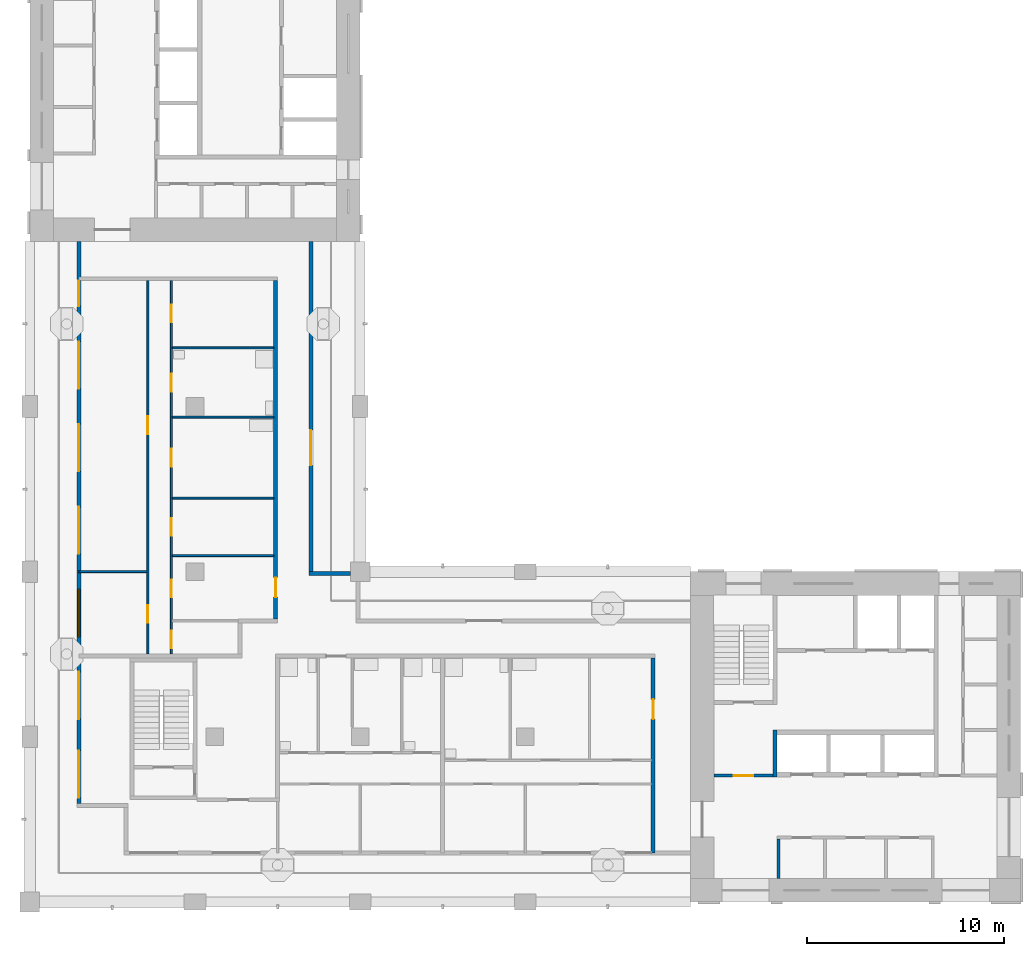
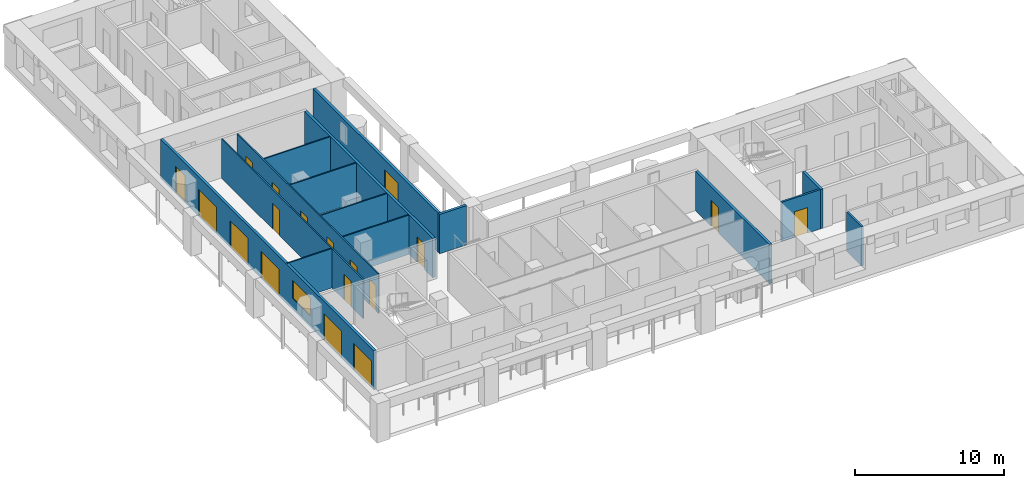
# One storey, part 3 of 12: 18 doors, 15 walls, 1 window, 19 openings.
"""IFC4 building model written with IfcOpenShell, lengths in metres."""

from ifc_helpers import new_model, si_unit, direction, frame, frame_2d, origin, place, context, subcontext, project, spatial, rectangle, extrude, material, layer, layer_set, type_object, element, fill, save


model = new_model("IFC4")

# Units and contexts
model_context = context("Model", 3, precision=1e-05, world=origin(), true_north=direction((0.0, 1.0)))
body_context = subcontext(model_context, "Body", "Model", "MODEL_VIEW")
ifc_project = project(units=[si_unit("LENGTHUNIT", "METRE"), si_unit("AREAUNIT", "SQUARE_METRE"), si_unit("VOLUMEUNIT", "CUBIC_METRE"), si_unit("PLANEANGLEUNIT", "RADIAN"), si_unit("MASSUNIT", "GRAM", prefix="KILO")], contexts=[model_context])

# Site, building, storey
site_placement = place(None, origin())
site = spatial("IfcSite", under=ifc_project, at=site_placement, CompositionType="ELEMENT")
building_placement = place(site_placement, origin())
building = spatial("IfcBuilding", under=site, at=building_placement, Name="Vermilion Gate Residences", CompositionType="ELEMENT")
storey_placement = place(building_placement, frame((0.0, 0.0, 238.699951171875)))
storey = spatial("IfcBuildingStorey", under=building, at=storey_placement, Name="L62", CompositionType="ELEMENT", Elevation=238.699951171875)

# Wall
ifc_material_1 = material(Name="Masonry blockwork", Category="masonry")
ifc_layer_1 = layer(ifc_material_1, 0.14990234375)
ifc_layer_set_1 = layer_set([ifc_layer_1], Name="BLOCKWORK PARTITION 150 EI 120")
wall_type_1 = type_object("IfcWallType", Name="BLOCKWORK PARTITION 150 EI 120", PredefinedType="PARTITIONING", material=ifc_layer_set_1)
wall_1_placement = place(storey_placement, frame((46.47509765625, 9.60009765625, 0.0), z_axis=(0.0, 0.0, 1.0), x_axis=(0.0, 1.0, 0.0)))
element("IfcWall", 1, at=wall_1_placement, inside=storey, type_object=wall_type_1, Name="Core room partition A62-RW-W", PredefinedType="PARTITIONING", context=body_context, shape_type="SweptSolid", body=[
    extrude(rectangle(XDim=2.0, YDim=0.14990234375, at=frame_2d((1.0, 0.0))), origin(), (0.0, 0.0, 1.0), 3.219970703125),
])

# Wall, opening, door
wall_2_placement = place(storey_placement, frame((43.199951171875, 14.824951171875, 0.0), z_axis=(0.0, 0.0, 1.0), x_axis=(1.0, 0.0, 0.0)))
wall_2 = element("IfcWall", 2, at=wall_2_placement, inside=storey, type_object=wall_type_1, Name="Core room partition A62-VW-S", PredefinedType="PARTITIONING", context=body_context, shape_type="SweptSolid", body=[
    extrude(rectangle(XDim=3.0, YDim=0.14990234375, at=frame_2d((1.5, 0.0))), origin(), (0.0, 0.0, 1.0), 3.219970703125),
])
opening_1_placement = place(wall_2_placement, frame((1.0, 0.0, 0.0)))
opening_1 = element("IfcOpeningElement", 3, at=opening_1_placement, cuts=wall_2, Name="Opening DK62011", PredefinedType="OPENING", context=body_context, shape_type="SweptSolid", body=[
    extrude(rectangle(XDim=1.0, YDim=2.10009765625, at=frame_2d((0.5, 1.050048828125))), frame((0.0, 0.0849609375, 0.0), z_axis=(0.0, -1.0, 0.0), x_axis=(1.0, 0.0, 0.0)), (0.0, 0.0, 1.0), 0.169921875),
])
ifc_material_2 = material(Name="Steel", Category="steel")
door_type_1 = type_object("IfcDoorType", Name="FIRE DOOR FD60 1000 X 2100", OperationType="SINGLE_SWING_LEFT", PredefinedType="DOOR", material=ifc_material_2)
door_1_placement = place(opening_1_placement, frame((1.0, 0.0, 0.0), z_axis=(0.0, 0.0, 1.0), x_axis=(-1.0, 0.0, 0.0)))
door_1 = element("IfcDoor", 4, at=door_1_placement, inside=storey, type_object=door_type_1, Name="Stair vestibule door A62", OperationType="SINGLE_SWING_RIGHT", OverallHeight=2.10009765625, OverallWidth=1.0, PredefinedType="DOOR", context=body_context, shape_type="SweptSolid", body=[
    extrude(rectangle(XDim=1.0, YDim=2.10009765625, at=frame_2d((0.5, 1.050048828125))), frame((0.0, 0.02490234375, 0.0), z_axis=(0.0, -1.0, 0.0), x_axis=(1.0, 0.0, 0.0)), (0.0, 0.0, 1.0), 0.050048828125),
])
fill(opening_1, door_1)

# Wall, openings, doors, window
ifc_material_3 = material(Name="Insulated steel stud wall with terracotta rainscreen", Category="masonry")
ifc_layer_2 = layer(ifc_material_3, 0.199951171875)
ifc_layer_set_2 = layer_set([ifc_layer_2], Name="EXTERNAL WALL 200 TERRACOTTA RAINSCREEN")
wall_type_2 = type_object("IfcWallType", Name="EXTERNAL WALL 200 TERRACOTTA RAINSCREEN", PredefinedType="SOLIDWALL", material=ifc_layer_set_2)
wall_3_placement = place(storey_placement, frame((10.89990234375, 42.0, 0.0), z_axis=(0.0, 0.0, 1.0), x_axis=(0.0, -1.0, 0.0)))
wall_3 = element("IfcWall", 5, at=wall_3_placement, inside=storey, type_object=wall_type_2, Name="External wall", PredefinedType="SOLIDWALL", context=body_context, shape_type="SweptSolid", body=[
    extrude(rectangle(XDim=28.60009765625, YDim=0.199951171875, at=frame_2d((14.300048828125, 0.0))), origin(), (0.0, 0.0, 1.0), 3.219970703125),
])
opening_2_placement = place(wall_3_placement, frame((25.89990234375, 0.0, 0.0)))
opening_2 = element("IfcOpeningElement", 6, at=opening_2_placement, cuts=wall_3, Name="Opening DE62001", PredefinedType="OPENING", context=body_context, shape_type="SweptSolid", body=[
    extrude(rectangle(XDim=2.39990234375, YDim=2.199951171875, at=frame_2d((1.199951171875, 1.10009765625))), frame((0.0, 0.10986328125, 0.0), z_axis=(0.0, -1.0, 0.0), x_axis=(1.0, 0.0, 0.0)), (0.0, 0.0, 1.0), 0.219970703125),
])
opening_3_placement = place(wall_3_placement, frame((21.89990234375, 0.0, 0.0)))
opening_3 = element("IfcOpeningElement", 7, at=opening_3_placement, cuts=wall_3, Name="Opening DE62002", PredefinedType="OPENING", context=body_context, shape_type="SweptSolid", body=[
    extrude(rectangle(XDim=2.39990234375, YDim=2.199951171875, at=frame_2d((1.199951171875, 1.10009765625))), frame((0.0, 0.10986328125, 0.0), z_axis=(0.0, -1.0, 0.0), x_axis=(1.0, 0.0, 0.0)), (0.0, 0.0, 1.0), 0.219970703125),
])
opening_4_placement = place(wall_3_placement, frame((17.699951171875, 0.0, 0.89990234375)))
opening_4 = element("IfcOpeningElement", 8, at=opening_4_placement, cuts=wall_3, Name="Opening WE62003", PredefinedType="OPENING", context=body_context, shape_type="SweptSolid", body=[
    extrude(rectangle(XDim=2.39990234375, YDim=1.5, at=frame_2d((1.199951171875, 0.75))), frame((0.0, 0.10986328125, 0.0), z_axis=(0.0, -1.0, 0.0), x_axis=(1.0, 0.0, 0.0)), (0.0, 0.0, 1.0), 0.219970703125),
])
opening_5_placement = place(wall_3_placement, frame((13.5, 0.0, 0.0)))
opening_5 = element("IfcOpeningElement", 9, at=opening_5_placement, cuts=wall_3, Name="Opening DE62004", PredefinedType="OPENING", context=body_context, shape_type="SweptSolid", body=[
    extrude(rectangle(XDim=2.39990234375, YDim=2.199951171875, at=frame_2d((1.199951171875, 1.10009765625))), frame((0.0, 0.10986328125, 0.0), z_axis=(0.0, -1.0, 0.0), x_axis=(1.0, 0.0, 0.0)), (0.0, 0.0, 1.0), 0.219970703125),
])
opening_6_placement = place(wall_3_placement, frame((9.300048828125, 0.0, 0.0)))
opening_6 = element("IfcOpeningElement", 10, at=opening_6_placement, cuts=wall_3, Name="Opening DE62005", PredefinedType="OPENING", context=body_context, shape_type="SweptSolid", body=[
    extrude(rectangle(XDim=2.39990234375, YDim=2.199951171875, at=frame_2d((1.199951171875, 1.10009765625))), frame((0.0, 0.10986328125, 0.0), z_axis=(0.0, -1.0, 0.0), x_axis=(1.0, 0.0, 0.0)), (0.0, 0.0, 1.0), 0.219970703125),
])
opening_7_placement = place(wall_3_placement, frame((5.10009765625, 0.0, 0.0)))
opening_7 = element("IfcOpeningElement", 11, at=opening_7_placement, cuts=wall_3, Name="Opening DE62006", PredefinedType="OPENING", context=body_context, shape_type="SweptSolid", body=[
    extrude(rectangle(XDim=2.39990234375, YDim=2.199951171875, at=frame_2d((1.199951171875, 1.10009765625))), frame((0.0, 0.10986328125, 0.0), z_axis=(0.0, -1.0, 0.0), x_axis=(1.0, 0.0, 0.0)), (0.0, 0.0, 1.0), 0.219970703125),
])
opening_8_placement = place(wall_3_placement, frame((2.0, 0.0, 0.0)))
opening_8 = element("IfcOpeningElement", 12, at=opening_8_placement, cuts=wall_3, Name="Opening DE62007", PredefinedType="OPENING", context=body_context, shape_type="SweptSolid", body=[
    extrude(rectangle(XDim=1.300048828125, YDim=2.199951171875, at=frame_2d((0.64990234375, 1.10009765625))), frame((0.0, 0.10986328125, 0.0), z_axis=(0.0, -1.0, 0.0), x_axis=(1.0, 0.0, 0.0)), (0.0, 0.0, 1.0), 0.219970703125),
])
ifc_material_4 = material(Name="Aluminium and clear glass", Category="aluminium")
door_type_2 = type_object("IfcDoorType", Name="SLIDING GLAZED DOOR 1300 X 2200", OperationType="DOUBLE_DOOR_SLIDING", PredefinedType="DOOR", material=ifc_material_4)
door_2_placement = place(opening_8_placement, origin())
door_2 = element("IfcDoor", 13, at=door_2_placement, inside=storey, type_object=door_type_2, Name="Loggia sliding door", OperationType="DOUBLE_DOOR_SLIDING", OverallHeight=2.199951171875, OverallWidth=1.300048828125, PredefinedType="DOOR", context=body_context, shape_type="SweptSolid", body=[
    extrude(rectangle(XDim=1.300048828125, YDim=2.199951171875, at=frame_2d((0.64990234375, 1.10009765625))), frame((0.0, 0.02490234375, 0.0), z_axis=(0.0, -1.0, 0.0), x_axis=(1.0, 0.0, 0.0)), (0.0, 0.0, 1.0), 0.050048828125),
])
fill(opening_8, door_2)
ifc_material_5 = material(Name="Aluminium and clear glass", Category="aluminium")
door_type_3 = type_object("IfcDoorType", Name="SLIDING GLAZED DOOR 2400 X 2200", OperationType="DOUBLE_DOOR_SLIDING", PredefinedType="DOOR", material=ifc_material_5)
door_3_placement = place(opening_2_placement, origin())
door_3 = element("IfcDoor", 14, at=door_3_placement, inside=storey, type_object=door_type_3, Name="Loggia sliding door", OperationType="DOUBLE_DOOR_SLIDING", OverallHeight=2.199951171875, OverallWidth=2.39990234375, PredefinedType="DOOR", context=body_context, shape_type="SweptSolid", body=[
    extrude(rectangle(XDim=2.39990234375, YDim=2.199951171875, at=frame_2d((1.199951171875, 1.10009765625))), frame((0.0, 0.02490234375, 0.0), z_axis=(0.0, -1.0, 0.0), x_axis=(1.0, 0.0, 0.0)), (0.0, 0.0, 1.0), 0.050048828125),
])
fill(opening_2, door_3)
door_4_placement = place(opening_3_placement, origin())
door_4 = element("IfcDoor", 15, at=door_4_placement, inside=storey, type_object=door_type_3, Name="Loggia sliding door", OperationType="DOUBLE_DOOR_SLIDING", OverallHeight=2.199951171875, OverallWidth=2.39990234375, PredefinedType="DOOR", context=body_context, shape_type="SweptSolid", body=[
    extrude(rectangle(XDim=2.39990234375, YDim=2.199951171875, at=frame_2d((1.199951171875, 1.10009765625))), frame((0.0, 0.02490234375, 0.0), z_axis=(0.0, -1.0, 0.0), x_axis=(1.0, 0.0, 0.0)), (0.0, 0.0, 1.0), 0.050048828125),
])
fill(opening_3, door_4)
door_5_placement = place(opening_5_placement, origin())
door_5 = element("IfcDoor", 16, at=door_5_placement, inside=storey, type_object=door_type_3, Name="Loggia sliding door", OperationType="DOUBLE_DOOR_SLIDING", OverallHeight=2.199951171875, OverallWidth=2.39990234375, PredefinedType="DOOR", context=body_context, shape_type="SweptSolid", body=[
    extrude(rectangle(XDim=2.39990234375, YDim=2.199951171875, at=frame_2d((1.199951171875, 1.10009765625))), frame((0.0, 0.02490234375, 0.0), z_axis=(0.0, -1.0, 0.0), x_axis=(1.0, 0.0, 0.0)), (0.0, 0.0, 1.0), 0.050048828125),
])
fill(opening_5, door_5)
door_6_placement = place(opening_6_placement, origin())
door_6 = element("IfcDoor", 17, at=door_6_placement, inside=storey, type_object=door_type_3, Name="Loggia sliding door", OperationType="DOUBLE_DOOR_SLIDING", OverallHeight=2.199951171875, OverallWidth=2.39990234375, PredefinedType="DOOR", context=body_context, shape_type="SweptSolid", body=[
    extrude(rectangle(XDim=2.39990234375, YDim=2.199951171875, at=frame_2d((1.199951171875, 1.10009765625))), frame((0.0, 0.02490234375, 0.0), z_axis=(0.0, -1.0, 0.0), x_axis=(1.0, 0.0, 0.0)), (0.0, 0.0, 1.0), 0.050048828125),
])
fill(opening_6, door_6)
door_7_placement = place(opening_7_placement, origin())
door_7 = element("IfcDoor", 18, at=door_7_placement, inside=storey, type_object=door_type_3, Name="Loggia sliding door", OperationType="DOUBLE_DOOR_SLIDING", OverallHeight=2.199951171875, OverallWidth=2.39990234375, PredefinedType="DOOR", context=body_context, shape_type="SweptSolid", body=[
    extrude(rectangle(XDim=2.39990234375, YDim=2.199951171875, at=frame_2d((1.199951171875, 1.10009765625))), frame((0.0, 0.02490234375, 0.0), z_axis=(0.0, -1.0, 0.0), x_axis=(1.0, 0.0, 0.0)), (0.0, 0.0, 1.0), 0.050048828125),
])
fill(opening_7, door_7)
ifc_material_6 = material(Name="Aluminium and clear glass", Category="aluminium")
window_type = type_object("IfcWindowType", Name="WINDOW 2400 X 1500", PartitioningType="SINGLE_PANEL", PredefinedType="WINDOW", material=ifc_material_6)
window_placement = place(opening_4_placement, origin())
window = element("IfcWindow", 19, at=window_placement, inside=storey, type_object=window_type, Name="Window", OverallHeight=1.5, OverallWidth=2.39990234375, PartitioningType="SINGLE_PANEL", PredefinedType="WINDOW", context=body_context, shape_type="SweptSolid", body=[
    extrude(rectangle(XDim=2.39990234375, YDim=1.5, at=frame_2d((1.199951171875, 0.75))), frame((0.0, 0.030029296875, 0.0), z_axis=(0.0, -1.0, 0.0), x_axis=(1.0, 0.0, 0.0)), (0.0, 0.0, 1.0), 0.06005859375),
])
fill(opening_4, window)

# Wall
wall_4_placement = place(storey_placement, frame((24.699951171875, 25.10009765625, 0.0), z_axis=(0.0, 0.0, 1.0), x_axis=(-1.0, 0.0, 0.0)))
element("IfcWall", 20, at=wall_4_placement, inside=storey, type_object=wall_type_2, Name="External wall", PredefinedType="SOLIDWALL", context=body_context, shape_type="SweptSolid", body=[
    extrude(rectangle(XDim=2.099853515625, YDim=0.199951171875, at=frame_2d((1.0498046875, 0.0))), origin(), (0.0, 0.0, 1.0), 3.219970703125),
])

# Wall, opening, door
wall_5_placement = place(storey_placement, frame((22.699951171875, 25.199951171875, 0.0), z_axis=(0.0, 0.0, 1.0), x_axis=(0.0, 1.0, 0.0)))
wall_5 = element("IfcWall", 21, at=wall_5_placement, inside=storey, type_object=wall_type_2, Name="External wall", PredefinedType="SOLIDWALL", context=body_context, shape_type="SweptSolid", body=[
    extrude(rectangle(XDim=16.800048828125, YDim=0.199951171875, at=frame_2d((8.39990234375, 0.0))), origin(), (0.0, 0.0, 1.0), 3.219970703125),
])
opening_9_placement = place(wall_5_placement, frame((5.39990234375, 0.0, 0.0)))
opening_9 = element("IfcOpeningElement", 22, at=opening_9_placement, cuts=wall_5, Name="Opening DE62016", PredefinedType="OPENING", context=body_context, shape_type="SweptSolid", body=[
    extrude(rectangle(XDim=1.800048828125, YDim=2.39990234375, at=frame_2d((0.89990234375, 1.199951171875))), frame((0.0, 0.10986328125, 0.0), z_axis=(0.0, -1.0, 0.0), x_axis=(1.0, 0.0, 0.0)), (0.0, 0.0, 1.0), 0.219970703125),
])
ifc_material_7 = material(Name="Aluminium and clear glass", Category="aluminium")
door_type_4 = type_object("IfcDoorType", Name="GLAZED EXTERNAL DOOR 1800 X 2400", OperationType="DOUBLE_DOOR_SINGLE_SWING", PredefinedType="DOOR", material=ifc_material_7)
door_8_placement = place(opening_9_placement, frame((1.800048828125, 0.0, 0.0), z_axis=(0.0, 0.0, 1.0), x_axis=(-1.0, 0.0, 0.0)))
door_8 = element("IfcDoor", 23, at=door_8_placement, inside=storey, type_object=door_type_4, Name="Gallery door", OperationType="DOUBLE_DOOR_SINGLE_SWING", OverallHeight=2.39990234375, OverallWidth=1.800048828125, PredefinedType="DOOR", context=body_context, shape_type="SweptSolid", body=[
    extrude(rectangle(XDim=1.800048828125, YDim=2.39990234375, at=frame_2d((0.89990234375, 1.199951171875))), frame((0.0, 0.02490234375, 0.0), z_axis=(0.0, -1.0, 0.0), x_axis=(1.0, 0.0, 0.0)), (0.0, 0.0, 1.0), 0.050048828125),
])
fill(opening_9, door_8)

# Walls
ifc_material_8 = material(Name="Plasterboard on steel studs", Category="steel")
ifc_layer_3 = layer(ifc_material_8, 0.10009765625)
ifc_layer_set_3 = layer_set([ifc_layer_3], Name="PARTITION 100")
wall_type_3 = type_object("IfcWallType", Name="PARTITION 100", PredefinedType="PARTITIONING", material=ifc_layer_set_3)
wall_6_placement = place(storey_placement, frame((10.89990234375, 25.199951171875, 0.0), z_axis=(0.0, 0.0, 1.0), x_axis=(1.0, 0.0, 0.0)))
element("IfcWall", 24, at=wall_6_placement, inside=storey, type_object=wall_type_3, Name="Partition", PredefinedType="PARTITIONING", context=body_context, shape_type="SweptSolid", body=[
    extrude(rectangle(XDim=3.4501953125, YDim=0.10009765625, at=frame_2d((1.72509765625, 0.0))), origin(), (0.0, 0.0, 1.0), 3.219970703125),
])
for number, where, z_axis, x_axis, name in (
    (25, (15.64990234375, 26.02001953125, 0.0), (0.0, 0.0, 1.0), (1.0, 0.0, 0.0), "Partition"),
    (26, (15.64990234375, 28.93994140625, 0.0), (0.0, 0.0, 1.0), (1.0, 0.0, 0.0), "Partition"),
    (27, (15.64990234375, 33.06005859375, 0.0), (0.0, 0.0, 1.0), (1.0, 0.0, 0.0), "Partition"),
    (28, (15.64990234375, 36.580078125, 0.0), (0.0, 0.0, 1.0), (1.0, 0.0, 0.0), "Partition"),
):
    element("IfcWall", number, at=place(storey_placement, frame(where, z_axis=z_axis, x_axis=x_axis)), inside=storey, type_object=wall_type_3, Name=name, PredefinedType="PARTITIONING", context=body_context, shape_type="SweptSolid", body=[
        extrude(rectangle(XDim=5.150146484375, YDim=0.10009765625, at=frame_2d((2.5751953125, 0.0))), origin(), (0.0, 0.0, 1.0), 3.219970703125),
    ])

# Wall, openings, doors
wall_7_placement = place(storey_placement, frame((14.39990234375, 21.0, 0.0), z_axis=(0.0, 0.0, 1.0), x_axis=(0.0, 1.0, 0.0)))
wall_7 = element("IfcWall", 29, at=wall_7_placement, inside=storey, type_object=wall_type_3, Name="Partition", PredefinedType="PARTITIONING", context=body_context, shape_type="SweptSolid", body=[
    extrude(rectangle(XDim=19.0, YDim=0.10009765625, at=frame_2d((9.5, 0.0))), origin(), (0.0, 0.0, 1.0), 3.219970703125),
])
opening_10_placement = place(wall_7_placement, frame((1.60009765625, 0.0, 0.0)))
opening_10 = element("IfcOpeningElement", 30, at=opening_10_placement, cuts=wall_7, Name="Opening DA61014", PredefinedType="OPENING", context=body_context, shape_type="SweptSolid", body=[
    extrude(rectangle(XDim=0.89990234375, YDim=2.10009765625, at=frame_2d((0.449951171875, 1.050048828125))), frame((0.0, 0.06005859375, 0.0), z_axis=(0.0, -1.0, 0.0), x_axis=(1.0, 0.0, 0.0)), (0.0, 0.0, 1.0), 0.1201171875),
])
opening_11_placement = place(wall_7_placement, frame((11.199951171875, 0.0, 0.0)))
opening_11 = element("IfcOpeningElement", 31, at=opening_11_placement, cuts=wall_7, Name="Opening DA61015", PredefinedType="OPENING", context=body_context, shape_type="SweptSolid", body=[
    extrude(rectangle(XDim=0.89990234375, YDim=2.10009765625, at=frame_2d((0.449951171875, 1.050048828125))), frame((0.0, 0.06005859375, 0.0), z_axis=(0.0, -1.0, 0.0), x_axis=(1.0, 0.0, 0.0)), (0.0, 0.0, 1.0), 0.1201171875),
])
ifc_material_9 = material(Name="Timber", Category="wood")
door_type_5 = type_object("IfcDoorType", Name="INTERIOR DOOR 900 X 2100", OperationType="SINGLE_SWING_LEFT", PredefinedType="DOOR", material=ifc_material_9)
door_9_placement = place(opening_10_placement, origin())
door_9 = element("IfcDoor", 32, at=door_9_placement, inside=storey, type_object=door_type_5, Name="Interior door", OperationType="SINGLE_SWING_LEFT", OverallHeight=2.10009765625, OverallWidth=0.89990234375, PredefinedType="DOOR", context=body_context, shape_type="SweptSolid", body=[
    extrude(rectangle(XDim=0.89990234375, YDim=2.10009765625, at=frame_2d((0.449951171875, 1.050048828125))), frame((0.0, 0.02490234375, 0.0), z_axis=(0.0, -1.0, 0.0), x_axis=(1.0, 0.0, 0.0)), (0.0, 0.0, 1.0), 0.050048828125),
])
fill(opening_10, door_9)
door_10_placement = place(opening_11_placement, origin())
door_10 = element("IfcDoor", 33, at=door_10_placement, inside=storey, type_object=door_type_5, Name="Interior door", OperationType="SINGLE_SWING_LEFT", OverallHeight=2.10009765625, OverallWidth=0.89990234375, PredefinedType="DOOR", context=body_context, shape_type="SweptSolid", body=[
    extrude(rectangle(XDim=0.89990234375, YDim=2.10009765625, at=frame_2d((0.449951171875, 1.050048828125))), frame((0.0, 0.02490234375, 0.0), z_axis=(0.0, -1.0, 0.0), x_axis=(1.0, 0.0, 0.0)), (0.0, 0.0, 1.0), 0.050048828125),
])
fill(opening_11, door_10)

wall_8_placement = place(storey_placement, frame((15.60009765625, 21.0, 0.0), z_axis=(0.0, 0.0, 1.0), x_axis=(0.0, 1.0, 0.0)))
wall_8 = element("IfcWall", 34, at=wall_8_placement, inside=storey, type_object=wall_type_3, Name="Partition", PredefinedType="PARTITIONING", context=body_context, shape_type="SweptSolid", body=[
    extrude(rectangle(XDim=19.0, YDim=0.10009765625, at=frame_2d((9.5, 0.0))), origin(), (0.0, 0.0, 1.0), 3.219970703125),
])
opening_12_placement = place(wall_8_placement, frame((2.89990234375, 0.0, 0.0)))
opening_12 = element("IfcOpeningElement", 35, at=opening_12_placement, cuts=wall_8, Name="Opening DA61016", PredefinedType="OPENING", context=body_context, shape_type="SweptSolid", body=[
    extrude(rectangle(XDim=0.89990234375, YDim=2.10009765625, at=frame_2d((0.449951171875, 1.050048828125))), frame((0.0, 0.06005859375, 0.0), z_axis=(0.0, -1.0, 0.0), x_axis=(1.0, 0.0, 0.0)), (0.0, 0.0, 1.0), 0.1201171875),
])
opening_13_placement = place(wall_8_placement, frame((0.300048828125, 0.0, 0.0)))
opening_13 = element("IfcOpeningElement", 36, at=opening_13_placement, cuts=wall_8, Name="Opening DA61017", PredefinedType="OPENING", context=body_context, shape_type="SweptSolid", body=[
    extrude(rectangle(XDim=0.89990234375, YDim=2.10009765625, at=frame_2d((0.449951171875, 1.050048828125))), frame((0.0, 0.06005859375, 0.0), z_axis=(0.0, -1.0, 0.0), x_axis=(1.0, 0.0, 0.0)), (0.0, 0.0, 1.0), 0.1201171875),
])
opening_14_placement = place(wall_8_placement, frame((6.02001953125, 0.0, 0.0)))
opening_14 = element("IfcOpeningElement", 37, at=opening_14_placement, cuts=wall_8, Name="Opening DA61018", PredefinedType="OPENING", context=body_context, shape_type="SweptSolid", body=[
    extrude(rectangle(XDim=0.89990234375, YDim=2.10009765625, at=frame_2d((0.449951171875, 1.050048828125))), frame((0.0, 0.06005859375, 0.0), z_axis=(0.0, -1.0, 0.0), x_axis=(1.0, 0.0, 0.0)), (0.0, 0.0, 1.0), 0.1201171875),
])
opening_15_placement = place(wall_8_placement, frame((9.5400390625, 0.0, 0.0)))
opening_15 = element("IfcOpeningElement", 38, at=opening_15_placement, cuts=wall_8, Name="Opening DA61019", PredefinedType="OPENING", context=body_context, shape_type="SweptSolid", body=[
    extrude(rectangle(XDim=0.89990234375, YDim=2.10009765625, at=frame_2d((0.449951171875, 1.050048828125))), frame((0.0, 0.06005859375, 0.0), z_axis=(0.0, -1.0, 0.0), x_axis=(1.0, 0.0, 0.0)), (0.0, 0.0, 1.0), 0.1201171875),
])
opening_16_placement = place(wall_8_placement, frame((13.360107421875, 0.0, 0.0)))
opening_16 = element("IfcOpeningElement", 39, at=opening_16_placement, cuts=wall_8, Name="Opening DA61020", PredefinedType="OPENING", context=body_context, shape_type="SweptSolid", body=[
    extrude(rectangle(XDim=0.89990234375, YDim=2.10009765625, at=frame_2d((0.449951171875, 1.050048828125))), frame((0.0, 0.06005859375, 0.0), z_axis=(0.0, -1.0, 0.0), x_axis=(1.0, 0.0, 0.0)), (0.0, 0.0, 1.0), 0.1201171875),
])
opening_17_placement = place(wall_8_placement, frame((16.8798828125, 0.0, 0.0)))
opening_17 = element("IfcOpeningElement", 40, at=opening_17_placement, cuts=wall_8, Name="Opening DA61021", PredefinedType="OPENING", context=body_context, shape_type="SweptSolid", body=[
    extrude(rectangle(XDim=0.89990234375, YDim=2.10009765625, at=frame_2d((0.449951171875, 1.050048828125))), frame((0.0, 0.06005859375, 0.0), z_axis=(0.0, -1.0, 0.0), x_axis=(1.0, 0.0, 0.0)), (0.0, 0.0, 1.0), 0.1201171875),
])
door_11_placement = place(opening_12_placement, frame((0.89990234375, 0.0, 0.0), z_axis=(0.0, 0.0, 1.0), x_axis=(-1.0, 0.0, 0.0)))
door_11 = element("IfcDoor", 41, at=door_11_placement, inside=storey, type_object=door_type_5, Name="Interior door", OperationType="SINGLE_SWING_RIGHT", OverallHeight=2.10009765625, OverallWidth=0.89990234375, PredefinedType="DOOR", context=body_context, shape_type="SweptSolid", body=[
    extrude(rectangle(XDim=0.89990234375, YDim=2.10009765625, at=frame_2d((0.449951171875, 1.050048828125))), frame((0.0, 0.02490234375, 0.0), z_axis=(0.0, -1.0, 0.0), x_axis=(1.0, 0.0, 0.0)), (0.0, 0.0, 1.0), 0.050048828125),
])
fill(opening_12, door_11)
door_12_placement = place(opening_13_placement, frame((0.89990234375, 0.0, 0.0), z_axis=(0.0, 0.0, 1.0), x_axis=(-1.0, 0.0, 0.0)))
door_12 = element("IfcDoor", 42, at=door_12_placement, inside=storey, type_object=door_type_5, Name="Interior door", OperationType="SINGLE_SWING_RIGHT", OverallHeight=2.10009765625, OverallWidth=0.89990234375, PredefinedType="DOOR", context=body_context, shape_type="SweptSolid", body=[
    extrude(rectangle(XDim=0.89990234375, YDim=2.10009765625, at=frame_2d((0.449951171875, 1.050048828125))), frame((0.0, 0.02490234375, 0.0), z_axis=(0.0, -1.0, 0.0), x_axis=(1.0, 0.0, 0.0)), (0.0, 0.0, 1.0), 0.050048828125),
])
fill(opening_13, door_12)
door_13_placement = place(opening_14_placement, frame((0.89990234375, 0.0, 0.0), z_axis=(0.0, 0.0, 1.0), x_axis=(-1.0, 0.0, 0.0)))
door_13 = element("IfcDoor", 43, at=door_13_placement, inside=storey, type_object=door_type_5, Name="Interior door", OperationType="SINGLE_SWING_RIGHT", OverallHeight=2.10009765625, OverallWidth=0.89990234375, PredefinedType="DOOR", context=body_context, shape_type="SweptSolid", body=[
    extrude(rectangle(XDim=0.89990234375, YDim=2.10009765625, at=frame_2d((0.449951171875, 1.050048828125))), frame((0.0, 0.02490234375, 0.0), z_axis=(0.0, -1.0, 0.0), x_axis=(1.0, 0.0, 0.0)), (0.0, 0.0, 1.0), 0.050048828125),
])
fill(opening_14, door_13)
door_14_placement = place(opening_15_placement, frame((0.89990234375, 0.0, 0.0), z_axis=(0.0, 0.0, 1.0), x_axis=(-1.0, 0.0, 0.0)))
door_14 = element("IfcDoor", 44, at=door_14_placement, inside=storey, type_object=door_type_5, Name="Interior door", OperationType="SINGLE_SWING_RIGHT", OverallHeight=2.10009765625, OverallWidth=0.89990234375, PredefinedType="DOOR", context=body_context, shape_type="SweptSolid", body=[
    extrude(rectangle(XDim=0.89990234375, YDim=2.10009765625, at=frame_2d((0.449951171875, 1.050048828125))), frame((0.0, 0.02490234375, 0.0), z_axis=(0.0, -1.0, 0.0), x_axis=(1.0, 0.0, 0.0)), (0.0, 0.0, 1.0), 0.050048828125),
])
fill(opening_15, door_14)
door_15_placement = place(opening_16_placement, frame((0.89990234375, 0.0, 0.0), z_axis=(0.0, 0.0, 1.0), x_axis=(-1.0, 0.0, 0.0)))
door_15 = element("IfcDoor", 45, at=door_15_placement, inside=storey, type_object=door_type_5, Name="Interior door", OperationType="SINGLE_SWING_LEFT", OverallHeight=2.10009765625, OverallWidth=0.89990234375, PredefinedType="DOOR", context=body_context, shape_type="SweptSolid", body=[
    extrude(rectangle(XDim=0.89990234375, YDim=2.10009765625, at=frame_2d((0.449951171875, 1.050048828125))), frame((0.0, 0.02490234375, 0.0), z_axis=(0.0, -1.0, 0.0), x_axis=(1.0, 0.0, 0.0)), (0.0, 0.0, 1.0), 0.050048828125),
])
fill(opening_16, door_15)
door_16_placement = place(opening_17_placement, frame((0.89990234375, 0.0, 0.0), z_axis=(0.0, 0.0, 1.0), x_axis=(-1.0, 0.0, 0.0)))
door_16 = element("IfcDoor", 46, at=door_16_placement, inside=storey, type_object=door_type_5, Name="Interior door", OperationType="SINGLE_SWING_LEFT", OverallHeight=2.10009765625, OverallWidth=0.89990234375, PredefinedType="DOOR", context=body_context, shape_type="SweptSolid", body=[
    extrude(rectangle(XDim=0.89990234375, YDim=2.10009765625, at=frame_2d((0.449951171875, 1.050048828125))), frame((0.0, 0.02490234375, 0.0), z_axis=(0.0, -1.0, 0.0), x_axis=(1.0, 0.0, 0.0)), (0.0, 0.0, 1.0), 0.050048828125),
])
fill(opening_17, door_16)

# Wall, opening, door
ifc_material_10 = material(Name="Fire-rated plasterboard on steel studs", Category="steel")
ifc_layer_4 = layer(ifc_material_10, 0.199951171875)
ifc_layer_set_4 = layer_set([ifc_layer_4], Name="PARTY WALL 200 EI 120")
wall_type_4 = type_object("IfcWallType", Name="PARTY WALL 200 EI 120", PredefinedType="PARTITIONING", material=ifc_layer_set_4)
wall_9_placement = place(storey_placement, frame((20.89990234375, 22.800048828125, 0.0), z_axis=(0.0, 0.0, 1.0), x_axis=(0.0, 1.0, 0.0)))
wall_9 = element("IfcWall", 47, at=wall_9_placement, inside=storey, type_object=wall_type_4, Name="Party and corridor wall", PredefinedType="PARTITIONING", context=body_context, shape_type="SweptSolid", body=[
    extrude(rectangle(XDim=17.199951171875, YDim=0.199951171875, at=frame_2d((8.60009765625, 0.0))), origin(), (0.0, 0.0, 1.0), 3.219970703125),
])
opening_18_placement = place(wall_9_placement, frame((1.10009765625, 0.0, 0.0)))
opening_18 = element("IfcOpeningElement", 48, at=opening_18_placement, cuts=wall_9, Name="Opening DA61022", PredefinedType="OPENING", context=body_context, shape_type="SweptSolid", body=[
    extrude(rectangle(XDim=1.0, YDim=2.10009765625, at=frame_2d((0.5, 1.050048828125))), frame((0.0, 0.10986328125, 0.0), z_axis=(0.0, -1.0, 0.0), x_axis=(1.0, 0.0, 0.0)), (0.0, 0.0, 1.0), 0.219970703125),
])
ifc_material_11 = material(Name="Steel", Category="steel")
door_type_6 = type_object("IfcDoorType", Name="ENTRANCE DOOR 1000 X 2100 FD30", OperationType="SINGLE_SWING_LEFT", PredefinedType="DOOR", material=ifc_material_11)
door_17_placement = place(opening_18_placement, origin())
door_17 = element("IfcDoor", 49, at=door_17_placement, inside=storey, type_object=door_type_6, Name="Entrance door", OperationType="SINGLE_SWING_RIGHT", OverallHeight=2.10009765625, OverallWidth=1.0, PredefinedType="DOOR", context=body_context, shape_type="SweptSolid", body=[
    extrude(rectangle(XDim=1.0, YDim=2.10009765625, at=frame_2d((0.5, 1.050048828125))), frame((0.0, 0.02490234375, 0.0), z_axis=(0.0, -1.0, 0.0), x_axis=(1.0, 0.0, 0.0)), (0.0, 0.0, 1.0), 0.050048828125),
])
fill(opening_18, door_17)

wall_10_placement = place(storey_placement, frame((40.10009765625, 10.89990234375, 0.0), z_axis=(0.0, 0.0, 1.0), x_axis=(0.0, 1.0, 0.0)))
wall_10 = element("IfcWall", 50, at=wall_10_placement, inside=storey, type_object=wall_type_4, Name="Party and corridor wall", PredefinedType="PARTITIONING", context=body_context, shape_type="SweptSolid", body=[
    extrude(rectangle(XDim=9.900146484375, YDim=0.199951171875, at=frame_2d((4.9501953125, 0.0))), origin(), (0.0, 0.0, 1.0), 3.219970703125),
])
opening_19_placement = place(wall_10_placement, frame((6.800048828125, 0.0, 0.0)))
opening_19 = element("IfcOpeningElement", 51, at=opening_19_placement, cuts=wall_10, Name="Opening DA61023", PredefinedType="OPENING", context=body_context, shape_type="SweptSolid", body=[
    extrude(rectangle(XDim=1.0, YDim=2.10009765625, at=frame_2d((0.5, 1.050048828125))), frame((0.0, 0.10986328125, 0.0), z_axis=(0.0, -1.0, 0.0), x_axis=(1.0, 0.0, 0.0)), (0.0, 0.0, 1.0), 0.219970703125),
])
door_18_placement = place(opening_19_placement, origin())
door_18 = element("IfcDoor", 52, at=door_18_placement, inside=storey, type_object=door_type_6, Name="Entrance door", OperationType="SINGLE_SWING_LEFT", OverallHeight=2.10009765625, OverallWidth=1.0, PredefinedType="DOOR", context=body_context, shape_type="SweptSolid", body=[
    extrude(rectangle(XDim=1.0, YDim=2.10009765625, at=frame_2d((0.5, 1.050048828125))), frame((0.0, 0.02490234375, 0.0), z_axis=(0.0, -1.0, 0.0), x_axis=(1.0, 0.0, 0.0)), (0.0, 0.0, 1.0), 0.050048828125),
])
fill(opening_19, door_18)

# Wall
ifc_material_12 = material(Name="Concrete C60", Category="concrete")
ifc_layer_5 = layer(ifc_material_12, 0.199951171875)
ifc_layer_set_5 = layer_set([ifc_layer_5], Name="RC CORE INTERNAL WALL 200 C60")
wall_type_5 = type_object("IfcWallType", Name="RC CORE INTERNAL WALL 200 C60", PredefinedType="SHEAR", material=ifc_layer_set_5)
wall_11_placement = place(storey_placement, frame((46.300048828125, 14.75, 0.0), z_axis=(0.0, 0.0, 1.0), x_axis=(0.0, 1.0, 0.0)))
element("IfcWall", 53, at=wall_11_placement, inside=storey, type_object=wall_type_5, Name="Core internal wall A62-WDIV1", PredefinedType="SHEAR", context=body_context, shape_type="SweptSolid", body=[
    extrude(rectangle(XDim=2.39990234375, YDim=0.199951171875, at=frame_2d((1.199951171875, 0.0))), origin(), (0.0, 0.0, 1.0), 3.219970703125),
])

save(model, "model.ifc")
